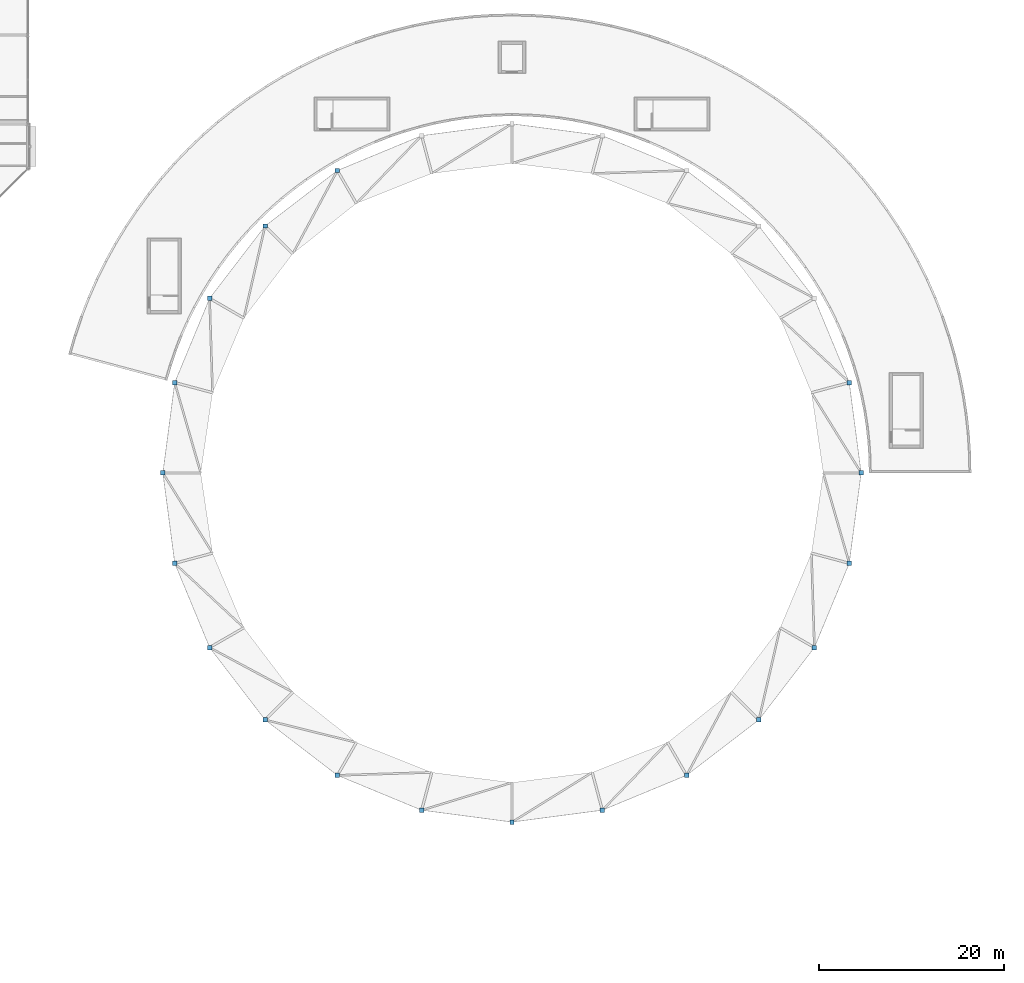
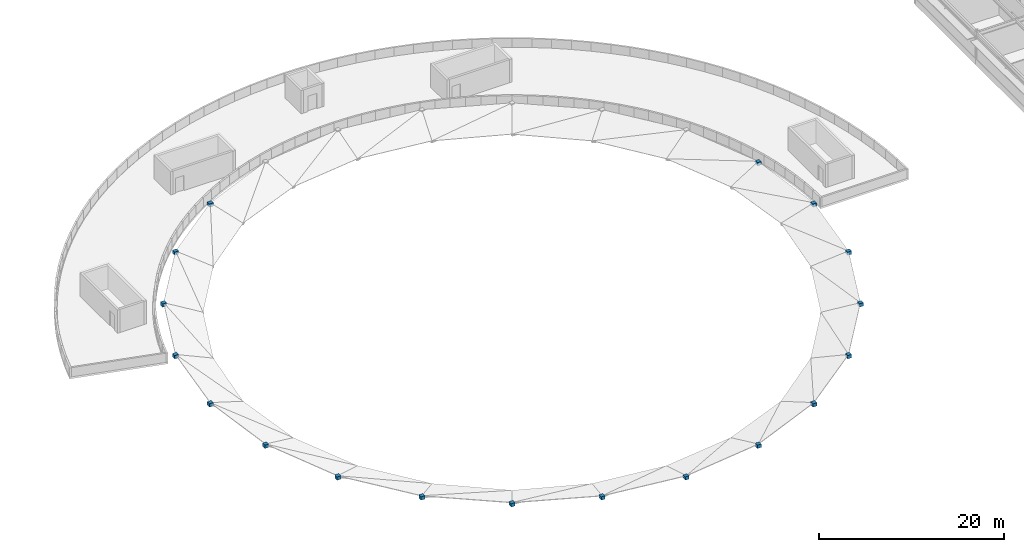
# One storey, part 27 of 50: 18 plates.
"""IFC4 building model written with IfcOpenShell, lengths in metres."""

from ifc_helpers import new_model, si_unit, direction, frame, origin, origin_2d, place, context, subcontext, project, spatial, rectangle, extrude, material, layer, layer_set, type_object, element, save


model = new_model("IFC4")

# Units and contexts
model_context = context("Model", 3, precision=1e-05, world=origin(), true_north=direction((0.0, 1.0)))
body_context = subcontext(model_context, "Body", "Model", "MODEL_VIEW")
ifc_project = project(units=[si_unit("LENGTHUNIT", "METRE"), si_unit("AREAUNIT", "SQUARE_METRE"), si_unit("VOLUMEUNIT", "CUBIC_METRE"), si_unit("PLANEANGLEUNIT", "RADIAN"), si_unit("MASSUNIT", "GRAM", prefix="KILO")], contexts=[model_context])

# Site, building, storey
site_placement = place(None, origin())
site = spatial("IfcSite", under=ifc_project, at=site_placement, CompositionType="ELEMENT")
building_placement = place(site_placement, origin())
building = spatial("IfcBuilding", under=site, at=building_placement, Name="Almandine Court Research Institute", CompositionType="ELEMENT")
storey_placement = place(building_placement, frame((0.0, 0.0, 23.449951171875)))
storey = spatial("IfcBuildingStorey", under=building, at=storey_placement, Name="L05", CompositionType="ELEMENT", Elevation=23.449951171875)

# Plates
ifc_material = material(Name="Steel ASTM A36", Category="steel")
ifc_layer = layer(ifc_material, 0.43994140625)
ifc_layer_set = layer_set([ifc_layer], Name="Steel ASTM A36")
plate_type = type_object("IfcPlateType", Name="Plate-NP-04", PredefinedType="SHEET", material=ifc_layer_set)
for number, where, z_axis, x_axis, name in (
    (1, (124.64990234375, 56.0, 0.47998046875), (0.0, 0.0, 1.0), (1.0, 0.0, 0.0), "Atrium Conical Gridshell Welded Star Node R0-S00"),
    (2, (123.366943359375, 65.7451171875, 0.47998046875), (0.0, 0.0, 1.0), (1.0, 0.0, 0.0), "Atrium Conical Gridshell Welded Star Node R0-S01"),
    (3, (68.175048828125, 88.60595703125, 0.47998046875), (0.0, 0.0, 1.0), (1.0, 0.0, 0.0), "Atrium Conical Gridshell Welded Star Node R0-S08"),
    (4, (60.376953125, 82.623046875, 0.47998046875), (0.0, 0.0, 1.0), (1.0, 0.0, 0.0), "Atrium Conical Gridshell Welded Star Node R0-S09"),
    (5, (54.39404296875, 74.824951171875, 0.47998046875), (0.0, 0.0, 1.0), (1.0, 0.0, 0.0), "Atrium Conical Gridshell Welded Star Node R0-S10"),
    (6, (50.633056640625, 65.7451171875, 0.47998046875), (0.0, 0.0, 1.0), (1.0, 0.0, 0.0), "Atrium Conical Gridshell Welded Star Node R0-S11"),
    (7, (49.35009765625, 56.0, 0.47998046875), (0.0, 0.0, 1.0), (1.0, 0.0, 0.0), "Atrium Conical Gridshell Welded Star Node R0-S12"),
    (8, (50.633056640625, 46.2548828125, 0.47998046875), (0.0, 0.0, 1.0), (1.0, 0.0, 0.0), "Atrium Conical Gridshell Welded Star Node R0-S13"),
    (9, (54.39404296875, 37.175048828125, 0.47998046875), (0.0, 0.0, 1.0), (1.0, 0.0, 0.0), "Atrium Conical Gridshell Welded Star Node R0-S14"),
    (10, (60.376953125, 29.376953125, 0.47998046875), (0.0, 0.0, 1.0), (1.0, 0.0, 0.0), "Atrium Conical Gridshell Welded Star Node R0-S15"),
    (11, (68.175048828125, 23.39404296875, 0.47998046875), (0.0, 0.0, 1.0), (1.0, 0.0, 0.0), "Atrium Conical Gridshell Welded Star Node R0-S16"),
    (12, (77.2548828125, 19.633056640625, 0.47998046875), (0.0, 0.0, 1.0), (1.0, 0.0, 0.0), "Atrium Conical Gridshell Welded Star Node R0-S17"),
    (13, (87.0, 18.35009765625, 0.47998046875), (0.0, 0.0, 1.0), (1.0, 0.0, 0.0), "Atrium Conical Gridshell Welded Star Node R0-S18"),
    (14, (96.7451171875, 19.633056640625, 0.47998046875), (0.0, 0.0, 1.0), (1.0, 0.0, 0.0), "Atrium Conical Gridshell Welded Star Node R0-S19"),
    (15, (105.824951171875, 23.39404296875, 0.47998046875), (0.0, 0.0, 1.0), (1.0, 0.0, 0.0), "Atrium Conical Gridshell Welded Star Node R0-S20"),
    (16, (113.623046875, 29.376953125, 0.47998046875), (0.0, 0.0, 1.0), (1.0, 0.0, 0.0), "Atrium Conical Gridshell Welded Star Node R0-S21"),
    (17, (119.60595703125, 37.175048828125, 0.47998046875), (0.0, 0.0, 1.0), (1.0, 0.0, 0.0), "Atrium Conical Gridshell Welded Star Node R0-S22"),
    (18, (123.366943359375, 46.2548828125, 0.47998046875), (0.0, 0.0, 1.0), (1.0, 0.0, 0.0), "Atrium Conical Gridshell Welded Star Node R0-S23"),
):
    element("IfcPlate", number, at=place(storey_placement, frame(where, z_axis=z_axis, x_axis=x_axis)), inside=storey, type_object=plate_type, Name=name, PredefinedType="SHEET", context=body_context, shape_type="SweptSolid", body=[
        extrude(rectangle(XDim=0.47998046875, YDim=0.47998046875, at=origin_2d()), origin(), (0.0, 0.0, 1.0), 0.43994140625),
    ])

save(model, "model.ifc")
